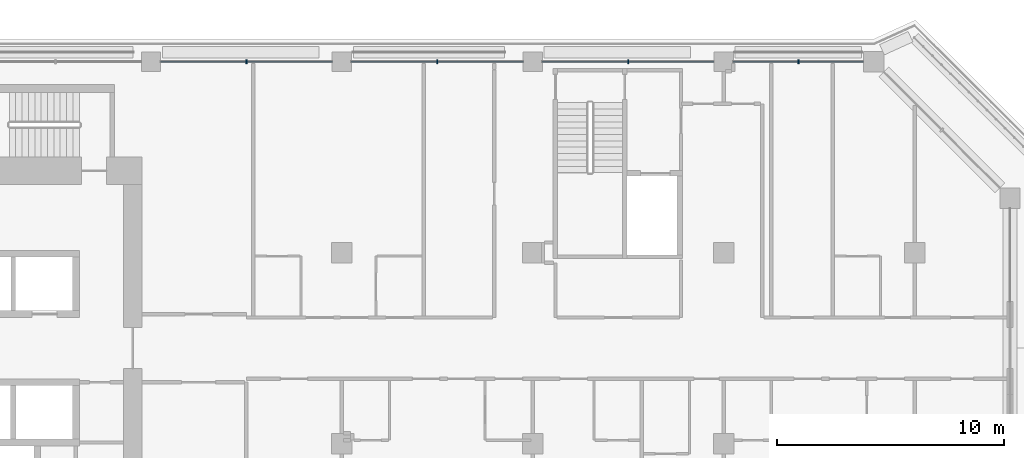
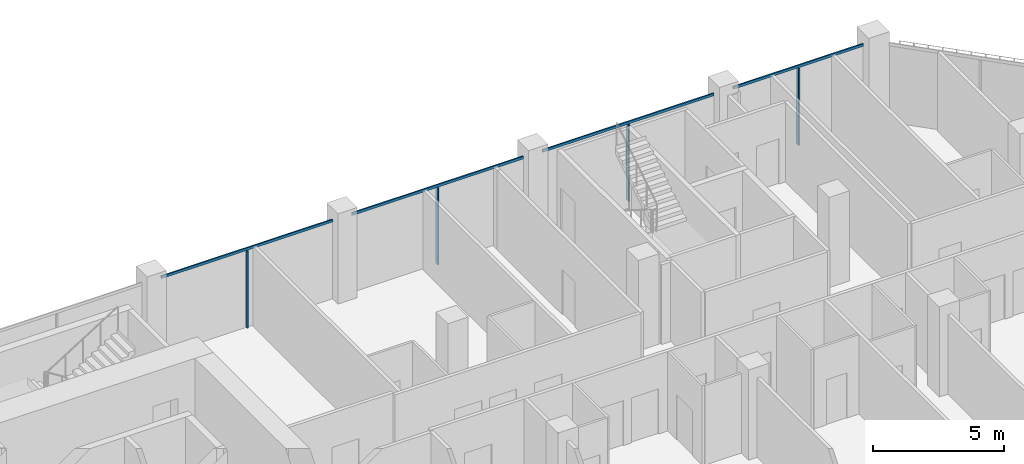
# One storey, part 6 of 23: 8 members, 1 element without a shape of its own.
"""IFC4 building model written with IfcOpenShell, lengths in metres."""

from ifc_helpers import new_model, si_unit, direction, frame, origin, origin_2d, place, context, subcontext, project, spatial, rectangle, extrude, material, layer, layer_set, material_profile, profile_set, type_object, element, aggregate, save


model = new_model("IFC4")

# Units and contexts
model_context = context("Model", 3, precision=1e-05, world=origin(), true_north=direction((0.0, 1.0)))
body_context = subcontext(model_context, "Body", "Model", "MODEL_VIEW")
ifc_project = project(units=[si_unit("LENGTHUNIT", "METRE"), si_unit("AREAUNIT", "SQUARE_METRE"), si_unit("VOLUMEUNIT", "CUBIC_METRE"), si_unit("PLANEANGLEUNIT", "RADIAN"), si_unit("MASSUNIT", "GRAM", prefix="KILO")], contexts=[model_context])

# Site, building, storey
site_placement = place(None, origin())
site = spatial("IfcSite", under=ifc_project, at=site_placement, CompositionType="ELEMENT")
building_placement = place(site_placement, origin())
building = spatial("IfcBuilding", under=site, at=building_placement, Name="Kawkab Arch Medical Tower", CompositionType="ELEMENT")
storey_placement = place(building_placement, frame((0.0, 0.0, 268.39990234375)))
storey = spatial("IfcBuildingStorey", under=building, at=storey_placement, Name="L62", CompositionType="ELEMENT", Elevation=268.39990234375)

# Curtain wall, members
ifc_material_1 = material(Name="Bronze anodised aluminium curtain wall frame", Category="aluminium")
ifc_layer = layer(ifc_material_1, 0.159912109375)
ifc_layer_set = layer_set([ifc_layer], Name="Bronze anodised aluminium curtain wall frame")
curtain_wall_type = type_object("IfcCurtainWallType", Name="CW1 ward curtain wall", PredefinedType="NOTDEFINED", material=ifc_layer_set)
curtain_wall_placement = place(storey_placement, origin())
curtain_wall = element("IfcCurtainWall", 1, at=curtain_wall_placement, inside=storey, type_object=curtain_wall_type, Name="CW1 Ward curtain wall R11", PredefinedType="NOTDEFINED")
ifc_material_2 = material(Name="Bronze anodised aluminium curtain wall frame", Category="aluminium")
ifc_material_profile_1 = material_profile(ifc_material_2, rectangle(XDim=0.179931640625, YDim=0.06005859375, at=origin_2d()), Name="AL 60x180")
ifc_profile_set_1 = profile_set([ifc_material_profile_1], Name="Bronze anodised aluminium curtain wall frame")
member_type_1 = type_object("IfcMemberType", Name="CW1 mullion 60 x 180", PredefinedType="MULLION", material=ifc_profile_set_1)
member_1_placement = place(storey_placement, frame((53.6875, 0.0, 0.0), z_axis=(0.0, 0.0, 1.0), x_axis=(0.0, -1.0, 0.0)))
member_1 = element("IfcMember", 2, at=member_1_placement, type_object=member_type_1, Name="CW1 mullion 1.1", PredefinedType="MULLION", context=body_context, shape_type="SweptSolid", body=[
    extrude(rectangle(XDim=0.179931640625, YDim=0.06005859375, at=origin_2d()), origin(), (0.0, 0.0, 1.0), 3.580078125),
])
member_2_placement = place(storey_placement, frame((46.199951171875, 0.0, 0.0), z_axis=(0.0, 0.0, 1.0), x_axis=(0.0, -1.0, 0.0)))
member_2 = element("IfcMember", 3, at=member_2_placement, type_object=member_type_1, Name="CW1 mullion 2.1", PredefinedType="MULLION", context=body_context, shape_type="SweptSolid", body=[
    extrude(rectangle(XDim=0.179931640625, YDim=0.06005859375, at=origin_2d()), origin(), (0.0, 0.0, 1.0), 3.580078125),
])
member_3_placement = place(storey_placement, frame((37.800048828125, 0.0, 0.0), z_axis=(0.0, 0.0, 1.0), x_axis=(0.0, -1.0, 0.0)))
member_3 = element("IfcMember", 4, at=member_3_placement, type_object=member_type_1, Name="CW1 mullion 3.1", PredefinedType="MULLION", context=body_context, shape_type="SweptSolid", body=[
    extrude(rectangle(XDim=0.179931640625, YDim=0.06005859375, at=origin_2d()), origin(), (0.0, 0.0, 1.0), 3.580078125),
])
member_4_placement = place(storey_placement, frame((29.39990234375, 0.0, 0.0), z_axis=(0.0, 0.0, 1.0), x_axis=(0.0, -1.0, 0.0)))
member_4 = element("IfcMember", 5, at=member_4_placement, type_object=member_type_1, Name="CW1 mullion 4.1", PredefinedType="MULLION", context=body_context, shape_type="SweptSolid", body=[
    extrude(rectangle(XDim=0.179931640625, YDim=0.06005859375, at=origin_2d()), origin(), (0.0, 0.0, 1.0), 3.580078125),
])
ifc_material_3 = material(Name="Bronze anodised aluminium curtain wall frame", Category="aluminium")
ifc_material_profile_2 = material_profile(ifc_material_3, rectangle(XDim=0.06005859375, YDim=0.1201171875, at=origin_2d()), Name="AL 60x120")
ifc_profile_set_2 = profile_set([ifc_material_profile_2], Name="Bronze anodised aluminium curtain wall frame")
member_type_2 = type_object("IfcMemberType", Name="CW1 transom 120 x 60", PredefinedType="USERDEFINED", material=ifc_profile_set_2)
member_5_placement = place(storey_placement, frame((56.550048828125, 0.0, 3.64013671875), z_axis=(-1.0, 0.0, 0.0), x_axis=(0.0, -1.0, 0.0)))
member_5 = element("IfcMember", 6, at=member_5_placement, type_object=member_type_2, Name="CW1 transom 1", ObjectType="TRANSOM", PredefinedType="USERDEFINED", context=body_context, shape_type="SweptSolid", body=[
    extrude(rectangle(XDim=0.06005859375, YDim=0.1201171875, at=origin_2d()), origin(), (0.0, 0.0, 1.0), 5.72509765625),
])
member_6_placement = place(storey_placement, frame((49.97509765625, 0.0, 3.64013671875), z_axis=(-1.0, 0.0, 0.0), x_axis=(0.0, -1.0, 0.0)))
member_6 = element("IfcMember", 7, at=member_6_placement, type_object=member_type_2, Name="CW1 transom 2", ObjectType="TRANSOM", PredefinedType="USERDEFINED", context=body_context, shape_type="SweptSolid", body=[
    extrude(rectangle(XDim=0.06005859375, YDim=0.1201171875, at=origin_2d()), origin(), (0.0, 0.0, 1.0), 7.550048828125),
])
member_7_placement = place(storey_placement, frame((41.574951171875, 0.0, 3.64013671875), z_axis=(-1.0, 0.0, 0.0), x_axis=(0.0, -1.0, 0.0)))
member_7 = element("IfcMember", 8, at=member_7_placement, type_object=member_type_2, Name="CW1 transom 3", ObjectType="TRANSOM", PredefinedType="USERDEFINED", context=body_context, shape_type="SweptSolid", body=[
    extrude(rectangle(XDim=0.06005859375, YDim=0.1201171875, at=origin_2d()), origin(), (0.0, 0.0, 1.0), 7.550048828125),
])
member_8_placement = place(storey_placement, frame((33.175048828125, 0.0, 3.64013671875), z_axis=(-1.0, 0.0, 0.0), x_axis=(0.0, -1.0, 0.0)))
member_8 = element("IfcMember", 9, at=member_8_placement, type_object=member_type_2, Name="CW1 transom 4", ObjectType="TRANSOM", PredefinedType="USERDEFINED", context=body_context, shape_type="SweptSolid", body=[
    extrude(rectangle(XDim=0.06005859375, YDim=0.1201171875, at=origin_2d()), origin(), (0.0, 0.0, 1.0), 7.550048828125),
])
aggregate(curtain_wall, [member_5, member_1, member_6, member_2, member_7, member_3, member_8, member_4])

save(model, "model.ifc")
